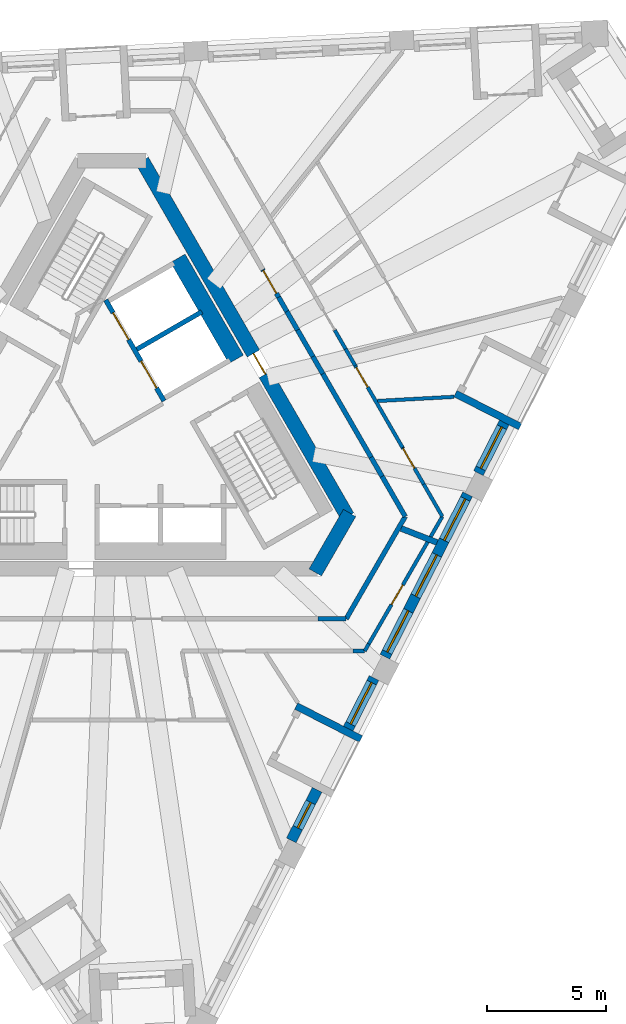
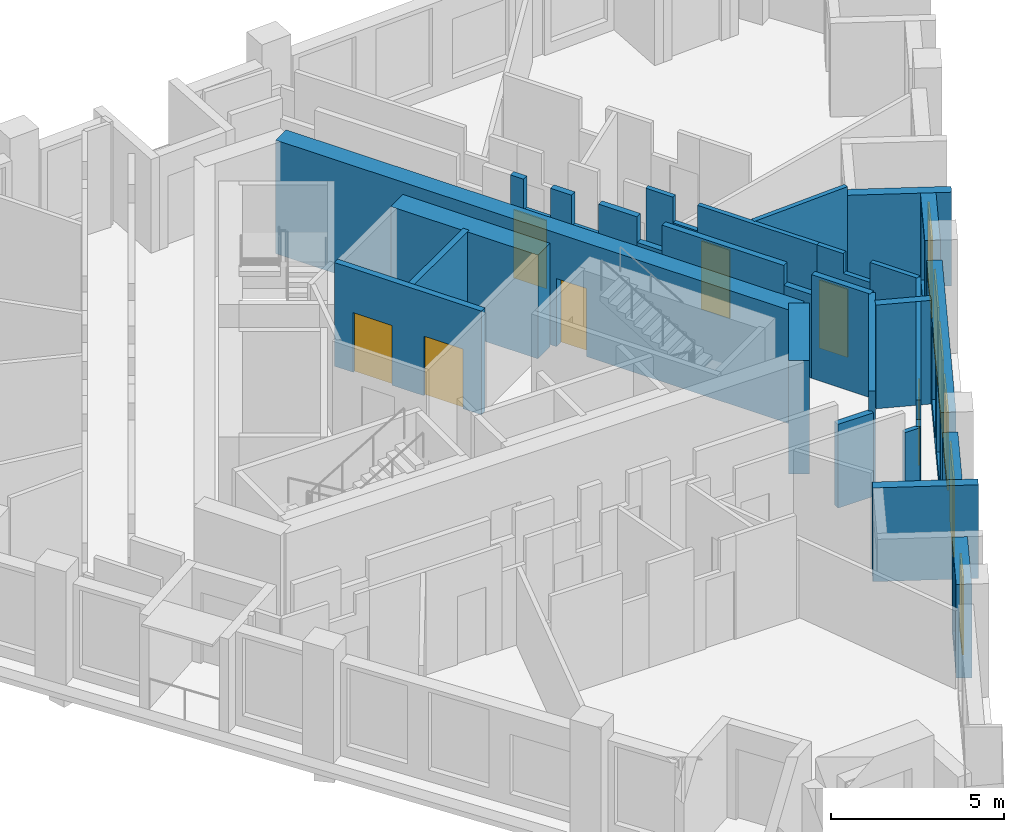
# One storey, part 5 of 12: 31 walls, 7 doors, 6 windows, 13 openings.
"""IFC4 building model written with IfcOpenShell, lengths in metres."""

from ifc_helpers import new_model, si_unit, direction, frame, frame_2d, origin, place, context, subcontext, project, spatial, polyline, rectangle, outline, extrude, material, layer, layer_set, type_object, element, fill, save


model = new_model("IFC4")

# Units and contexts
model_context = context("Model", 3, precision=1e-05, world=origin(), true_north=direction((0.0, 1.0)))
body_context = subcontext(model_context, "Body", "Model", "MODEL_VIEW")
ifc_project = project(units=[si_unit("LENGTHUNIT", "METRE"), si_unit("AREAUNIT", "SQUARE_METRE"), si_unit("VOLUMEUNIT", "CUBIC_METRE"), si_unit("PLANEANGLEUNIT", "RADIAN"), si_unit("MASSUNIT", "GRAM", prefix="KILO")], contexts=[model_context])

# Site, building, storey
site_placement = place(None, origin())
site = spatial("IfcSite", under=ifc_project, at=site_placement, CompositionType="ELEMENT")
building_placement = place(site_placement, origin())
building = spatial("IfcBuilding", under=site, at=building_placement, Name="Tramontana Tower", CompositionType="ELEMENT")
storey_placement = place(building_placement, frame((0.0, 0.0, 282.39990234375)))
storey = spatial("IfcBuildingStorey", under=building, at=storey_placement, Name="L66", CompositionType="ELEMENT", Elevation=282.39990234375)

# Wall
ifc_material_1 = material(Name="Concrete 70 MPa", Category="concrete")
ifc_layer_1 = layer(ifc_material_1, 0.60009765625)
ifc_layer_set_1 = layer_set([ifc_layer_1], Name="Core wall 600 70 MPa")
wall_type_1 = type_object("IfcWallType", Name="Core wall 600 70 MPa", PredefinedType="SHEAR", material=ifc_layer_set_1)
wall_1_placement = place(storey_placement, frame((8.544921875, -6.60009765625, 0.0), z_axis=(0.0, 0.0, 1.0), x_axis=(0.499995765644, 0.866027848477, 0.0)))
element("IfcWall", 1, at=wall_1_placement, inside=storey, type_object=wall_type_1, Name="Core wall C4 L66", PredefinedType="SHEAR", context=body_context, shape_type="SweptSolid", body=[
    extrude(rectangle(XDim=2.88671875, YDim=0.60009765625, at=frame_2d((1.443359375, 0.0))), origin(), (0.0, 0.0, 1.0), 4.0),
])

# Wall, opening, door
wall_2_placement = place(storey_placement, frame((9.901611328125, -4.25, 0.0), z_axis=(0.0, 0.0, 1.0), x_axis=(-0.499999536116, 0.866025671608, 0.0)))
wall_2 = element("IfcWall", 2, at=wall_2_placement, inside=storey, type_object=wall_type_1, Name="Core wall C5 L66", PredefinedType="SHEAR", context=body_context, shape_type="SweptSolid", body=[
    extrude(rectangle(XDim=17.2626953125, YDim=0.60009765625, at=frame_2d((8.63134765625, 0.0))), origin(), (0.0, 0.0, 1.0), 4.0),
])
opening_1_placement = place(wall_2_placement, frame((6.906494140625, 0.0, 0.0)))
opening_1 = element("IfcOpeningElement", 3, at=opening_1_placement, cuts=wall_2, Name="Opening RG3", PredefinedType="OPENING", context=body_context, shape_type="SweptSolid", body=[
    extrude(rectangle(XDim=1.0, YDim=2.39990234375, at=frame_2d((0.5, 1.199951171875))), frame((0.0, 0.31005859375, 0.0), z_axis=(0.0, -1.0, 0.0), x_axis=(1.0, 0.0, 0.0)), (0.0, 0.0, 1.0), 0.6201171875),
])
ifc_material_2 = material(Name="Painted steel", Category="steel")
door_type_1 = type_object("IfcDoorType", Name="RING DOOR 1000", OperationType="SINGLE_SWING_LEFT", PredefinedType="DOOR", material=ifc_material_2)
door_1_placement = place(opening_1_placement, origin())
door_1 = element("IfcDoor", 4, at=door_1_placement, inside=storey, type_object=door_type_1, Name="Door RG3", OperationType="SINGLE_SWING_LEFT", OverallHeight=2.39990234375, OverallWidth=1.0, PredefinedType="DOOR", context=body_context, shape_type="SweptSolid", body=[
    extrude(rectangle(XDim=1.0, YDim=2.39990234375, at=frame_2d((0.5, 1.199951171875))), frame((0.0, 0.02490234375, 0.0), z_axis=(0.0, -1.0, 0.0), x_axis=(1.0, 0.0, 0.0)), (0.0, 0.0, 1.0), 0.050048828125),
])
fill(opening_1, door_1)

# Walls
ifc_material_3 = material(Name="Blockwork", Category="masonry")
ifc_layer_2 = layer(ifc_material_3, 0.199951171875)
ifc_layer_set_2 = layer_set([ifc_layer_2], Name="ENTRY WALL 200")
wall_type_2 = type_object("IfcWallType", Name="ENTRY WALL 200", PredefinedType="SOLIDWALL", material=ifc_layer_set_2)
wall_3_placement = place(storey_placement, frame((12.326416015625, -4.25, 0.0), z_axis=(0.0, 0.0, 1.0), x_axis=(-0.50000478328, -0.866022642139, 0.0)))
element("IfcWall", 5, at=wall_3_placement, inside=storey, type_object=wall_type_2, Name="Wall v70-ew0", PredefinedType="SOLIDWALL", context=body_context, shape_type="SweptSolid", body=[
    extrude(rectangle(XDim=4.96533203125, YDim=0.199951171875, at=frame_2d((2.482666015625, 0.0))), origin(), (0.0, 0.0, 1.0), 3.650146484375),
])
wall_4_placement = place(storey_placement, frame((9.84375, -8.550048828125, 0.0), z_axis=(0.0, 0.0, 1.0), x_axis=(-1.0, 0.0, 0.0)))
element("IfcWall", 6, at=wall_4_placement, inside=storey, type_object=wall_type_2, Name="Wall v70-ew1-0", PredefinedType="SOLIDWALL", context=body_context, shape_type="SweptSolid", body=[
    extrude(rectangle(XDim=1.1884765625, YDim=0.199951171875, at=frame_2d((0.59423828125, 0.0))), origin(), (0.0, 0.0, 1.0), 2.9501953125),
])

# Wall, opening, door
wall_5_placement = place(storey_placement, frame((6.33740234375, 6.123291015625, 0.0), z_axis=(0.0, 0.0, 1.0), x_axis=(0.499943416353, -0.866058069904, 0.0)))
wall_5 = element("IfcWall", 7, at=wall_5_placement, inside=storey, type_object=wall_type_2, Name="Wall v70-ew5-4", PredefinedType="SOLIDWALL", context=body_context, shape_type="SweptSolid", body=[
    extrude(outline(polyline([(0.0, 0.0), (1.339111328125, 0.0), (1.3388671875, 2.550048828125), (0.429443359375, 2.550048828125), (0.429443359375, 3.650146484375), (0.0, 3.650146484375), (0.0, 0.0)])), frame((0.0, 0.10009765625, 0.0), z_axis=(0.0, -1.0, 0.0), x_axis=(1.0, 0.0, 0.0)), (0.0, 0.0, 1.0), 0.199951171875),
])
opening_2_placement = place(wall_5_placement, frame((0.050048828125, 0.0, 0.0)))
opening_2 = element("IfcOpeningElement", 8, at=opening_2_placement, cuts=wall_5, Name="Opening B7A-23", PredefinedType="OPENING", context=body_context, shape_type="SweptSolid", body=[
    extrude(rectangle(XDim=1.10009765625, YDim=2.39990234375, at=frame_2d((0.550048828125, 1.199951171875))), frame((0.0, 0.10986328125, 0.0), z_axis=(0.0, -1.0, 0.0), x_axis=(1.0, 0.0, 0.0)), (0.0, 0.0, 1.0), 0.219970703125),
])
ifc_material_4 = material(Name="Painted timber", Category="wood")
door_type_2 = type_object("IfcDoorType", Name="DOOR ENTRY 1100", OperationType="SINGLE_SWING_LEFT", PredefinedType="DOOR", material=ifc_material_4)
door_2_placement = place(opening_2_placement, origin())
door_2 = element("IfcDoor", 9, at=door_2_placement, inside=storey, type_object=door_type_2, Name="Door B7A-23", OperationType="SINGLE_SWING_LEFT", OverallHeight=2.39990234375, OverallWidth=1.10009765625, PredefinedType="DOOR", context=body_context, shape_type="SweptSolid", body=[
    extrude(rectangle(XDim=1.10009765625, YDim=2.39990234375, at=frame_2d((0.550048828125, 1.199951171875))), frame((0.0, 0.02490234375, 0.0), z_axis=(0.0, -1.0, 0.0), x_axis=(1.0, 0.0, 0.0)), (0.0, 0.0, 1.0), 0.050048828125),
])
fill(opening_2, door_2)

# Walls
wall_6_placement = place(storey_placement, frame((7.0068359375, 4.963623046875, 0.0), z_axis=(0.0, 0.0, 1.0), x_axis=(0.499977339252, -0.866038486578, 0.0)))
element("IfcWall", 10, at=wall_6_placement, inside=storey, type_object=wall_type_2, Name="Wall v70-ew5-5", PredefinedType="SOLIDWALL", context=body_context, shape_type="SweptSolid", body=[
    extrude(rectangle(XDim=0.69091796875, YDim=0.199951171875, at=frame_2d((0.345458984375, 0.0))), origin(), (0.0, 0.0, 1.0), 3.650146484375),
])
wall_7_placement = place(storey_placement, frame((7.352294921875, 4.365234375, 0.0), z_axis=(0.0, 0.0, 1.0), x_axis=(0.500074377092, -0.865982457891, 0.0)))
element("IfcWall", 11, at=wall_7_placement, inside=storey, type_object=wall_type_2, Name="Wall v70-ew5-6", PredefinedType="SOLIDWALL", context=body_context, shape_type="SweptSolid", body=[
    extrude(rectangle(XDim=0.900634765625, YDim=0.199951171875, at=frame_2d((0.4501953125, 0.0))), origin(), (0.0, 0.0, 1.0), 2.550048828125),
])
wall_8_placement = place(storey_placement, frame((7.802734375, 3.585205078125, 0.0), z_axis=(0.0, 0.0, 1.0), x_axis=(0.500018234033, -0.866014876105, 0.0)))
element("IfcWall", 12, at=wall_8_placement, inside=storey, type_object=wall_type_2, Name="Wall v70-ew5-7", PredefinedType="SOLIDWALL", context=body_context, shape_type="SweptSolid", body=[
    extrude(rectangle(XDim=1.2861328125, YDim=0.199951171875, at=frame_2d((0.64306640625, 0.0))), origin(), (0.0, 0.0, 1.0), 3.650146484375),
])
wall_9_placement = place(storey_placement, frame((8.44580078125, 2.471435546875, 0.0), z_axis=(0.0, 0.0, 1.0), x_axis=(0.499950631041, -0.86605390509, 0.0)))
element("IfcWall", 13, at=wall_9_placement, inside=storey, type_object=wall_type_2, Name="Wall v70-ew5-8", PredefinedType="SOLIDWALL", context=body_context, shape_type="SweptSolid", body=[
    extrude(rectangle(XDim=0.83349609375, YDim=0.199951171875, at=frame_2d((0.416748046875, 0.0))), origin(), (0.0, 0.0, 1.0), 2.75),
])
wall_10_placement = place(storey_placement, frame((8.862548828125, 1.74951171875, 0.0), z_axis=(0.0, 0.0, 1.0), x_axis=(0.500007556608, -0.866021040931, 0.0)))
element("IfcWall", 14, at=wall_10_placement, inside=storey, type_object=wall_type_2, Name="Wall v70-ew5-9", PredefinedType="SOLIDWALL", context=body_context, shape_type="SweptSolid", body=[
    extrude(rectangle(XDim=4.05224609375, YDim=0.199951171875, at=frame_2d((2.026123046875, 0.0))), origin(), (0.0, 0.0, 1.0), 3.650146484375),
])
wall_11_placement = place(storey_placement, frame((10.888671875, -1.759765625, 0.0), z_axis=(0.0, 0.0, 1.0), x_axis=(0.500102178127, -0.865966403178, 0.0)))
element("IfcWall", 15, at=wall_11_placement, inside=storey, type_object=wall_type_2, Name="Wall v70-ew5-10", PredefinedType="SOLIDWALL", context=body_context, shape_type="SweptSolid", body=[
    extrude(rectangle(XDim=0.927490234375, YDim=0.199951171875, at=frame_2d((0.4638671875, 0.0))), origin(), (0.0, 0.0, 1.0), 2.9501953125),
])
wall_12_placement = place(storey_placement, frame((11.3525390625, -2.56298828125, 0.0), z_axis=(0.0, 0.0, 1.0), x_axis=(0.499953905513, -0.866052014814, 0.0)))
element("IfcWall", 16, at=wall_12_placement, inside=storey, type_object=wall_type_2, Name="Wall v70-ew5-11", PredefinedType="SOLIDWALL", context=body_context, shape_type="SweptSolid", body=[
    extrude(rectangle(XDim=1.947998046875, YDim=0.199951171875, at=frame_2d((0.97412109375, 0.0))), origin(), (0.0, 0.0, 1.0), 3.650146484375),
])

# Wall, opening, window
ifc_material_5 = material(Name="Precast concrete 60 MPa", Category="concrete")
ifc_layer_3 = layer(ifc_material_5, 0.449951171875)
ifc_layer_set_3 = layer_set([ifc_layer_3], Name="Precast concrete 60 MPa, 450 mm")
wall_type_3 = type_object("IfcWallType", Name="EW1 Stone-faced precast wall 450", PredefinedType="SOLIDWALL", material=ifc_layer_set_3)
wall_13_placement = place(storey_placement, frame((7.53857421875, -17.859375, 0.0), z_axis=(0.0, 0.0, 1.0), x_axis=(0.454074413722, 0.890963762901, 0.0)))
wall_13 = element("IfcWall", 17, at=wall_13_placement, inside=storey, type_object=wall_type_3, Name="External wall L66 face 1 bay 2", PredefinedType="SOLIDWALL", context=body_context, shape_type="SweptSolid", body=[
    extrude(rectangle(XDim=2.38671875, YDim=0.449951171875, at=frame_2d((1.193359375, 0.0))), origin(), (0.0, 0.0, 1.0), 3.300048828125),
])
opening_3_placement = place(wall_13_placement, frame((0.59326171875, 0.0, 0.39990234375)))
opening_3 = element("IfcOpeningElement", 18, at=opening_3_placement, cuts=wall_13, Name="Opening N3", PredefinedType="OPENING", context=body_context, shape_type="SweptSolid", body=[
    extrude(rectangle(XDim=1.199951171875, YDim=2.75, at=frame_2d((0.60009765625, 1.375))), frame((0.0, 0.23486328125, 0.0), z_axis=(0.0, -1.0, 0.0), x_axis=(1.0, 0.0, 0.0)), (0.0, 0.0, 1.0), 0.469970703125),
])
ifc_material_6 = material(Name="Aluminum frame, double glazing unit", Category="aluminium")
window_type_1 = type_object("IfcWindowType", Name="N3 Window 1.2 x 2.75", PartitioningType="SINGLE_PANEL", PredefinedType="WINDOW", material=ifc_material_6)
window_1_placement = place(opening_3_placement, origin())
window_1 = element("IfcWindow", 19, at=window_1_placement, inside=storey, type_object=window_type_1, Name="Window N3 L66 face 1 module 4", OverallHeight=2.75, OverallWidth=1.199951171875, PartitioningType="SINGLE_PANEL", PredefinedType="WINDOW", context=body_context, shape_type="SweptSolid", body=[
    extrude(rectangle(XDim=1.199951171875, YDim=2.75, at=frame_2d((0.60009765625, 1.375))), frame((0.0, 0.030029296875, 0.0), z_axis=(0.0, -1.0, 0.0), x_axis=(1.0, 0.0, 0.0)), (0.0, 0.0, 1.0), 0.06005859375),
])
fill(opening_3, window_1)

wall_14_placement = place(storey_placement, frame((9.932861328125, -13.16064453125, 0.0), z_axis=(0.0, 0.0, 1.0), x_axis=(0.453993206954, 0.891005144788, 0.0)))
wall_14 = element("IfcWall", 20, at=wall_14_placement, inside=storey, type_object=wall_type_3, Name="External wall L66 face 1 bay 2", PredefinedType="SOLIDWALL", context=body_context, shape_type="SweptSolid", body=[
    extrude(rectangle(XDim=2.386474609375, YDim=0.449951171875, at=frame_2d((1.193359375, 0.0))), origin(), (0.0, 0.0, 1.0), 3.300048828125),
])
opening_4_placement = place(wall_14_placement, frame((0.21826171875, 0.0, 0.39990234375)))
opening_4 = element("IfcOpeningElement", 21, at=opening_4_placement, cuts=wall_14, Name="Opening M3", PredefinedType="OPENING", context=body_context, shape_type="SweptSolid", body=[
    extrude(rectangle(XDim=1.949951171875, YDim=2.75, at=frame_2d((0.97509765625, 1.375))), frame((0.0, 0.23486328125, 0.0), z_axis=(0.0, -1.0, 0.0), x_axis=(1.0, 0.0, 0.0)), (0.0, 0.0, 1.0), 0.469970703125),
])
ifc_material_7 = material(Name="Aluminum frame, double glazing unit", Category="aluminium")
window_type_2 = type_object("IfcWindowType", Name="M3 Window 1.95 x 2.75", PartitioningType="SINGLE_PANEL", PredefinedType="WINDOW", material=ifc_material_7)
window_2_placement = place(opening_4_placement, origin())
window_2 = element("IfcWindow", 22, at=window_2_placement, inside=storey, type_object=window_type_2, Name="Window M3 L66 face 1 module 6", OverallHeight=2.75, OverallWidth=1.949951171875, PartitioningType="SINGLE_PANEL", PredefinedType="WINDOW", context=body_context, shape_type="SweptSolid", body=[
    extrude(rectangle(XDim=1.949951171875, YDim=2.75, at=frame_2d((0.97509765625, 1.375))), frame((0.0, 0.030029296875, 0.0), z_axis=(0.0, -1.0, 0.0), x_axis=(1.0, 0.0, 0.0)), (0.0, 0.0, 1.0), 0.06005859375),
])
fill(opening_4, window_2)

# Wall, openings, windows
wall_15_placement = place(storey_placement, frame((11.47021484375, -10.14306640625, 0.0), z_axis=(0.0, 0.0, 1.0), x_axis=(0.453995484395, 0.891003984362, 0.0)))
wall_15 = element("IfcWall", 23, at=wall_15_placement, inside=storey, type_object=wall_type_3, Name="External wall L66 face 1 bay 3", PredefinedType="SOLIDWALL", context=body_context, shape_type="SweptSolid", body=[
    extrude(rectangle(XDim=7.660400390625, YDim=0.449951171875, at=frame_2d((3.830078125, 0.0))), origin(), (0.0, 0.0, 1.0), 3.300048828125),
])
opening_5_placement = place(wall_15_placement, frame((0.21826171875, 0.0, 0.39990234375)))
opening_5 = element("IfcOpeningElement", 24, at=opening_5_placement, cuts=wall_15, Name="Opening M3", PredefinedType="OPENING", context=body_context, shape_type="SweptSolid", body=[
    extrude(rectangle(XDim=1.949951171875, YDim=2.75, at=frame_2d((0.97509765625, 1.375))), frame((0.0, 0.23486328125, 0.0), z_axis=(0.0, -1.0, 0.0), x_axis=(1.0, 0.0, 0.0)), (0.0, 0.0, 1.0), 0.469970703125),
])
opening_6_placement = place(wall_15_placement, frame((2.855224609375, 0.0, 0.39990234375)))
opening_6 = element("IfcOpeningElement", 25, at=opening_6_placement, cuts=wall_15, Name="Opening M3", PredefinedType="OPENING", context=body_context, shape_type="SweptSolid", body=[
    extrude(rectangle(XDim=1.949951171875, YDim=2.75, at=frame_2d((0.97509765625, 1.375))), frame((0.0, 0.23486328125, 0.0), z_axis=(0.0, -1.0, 0.0), x_axis=(1.0, 0.0, 0.0)), (0.0, 0.0, 1.0), 0.469970703125),
])
opening_7_placement = place(wall_15_placement, frame((5.491943359375, 0.0, 0.39990234375)))
opening_7 = element("IfcOpeningElement", 26, at=opening_7_placement, cuts=wall_15, Name="Opening M3", PredefinedType="OPENING", context=body_context, shape_type="SweptSolid", body=[
    extrude(rectangle(XDim=1.949951171875, YDim=2.75, at=frame_2d((0.97509765625, 1.375))), frame((0.0, 0.23486328125, 0.0), z_axis=(0.0, -1.0, 0.0), x_axis=(1.0, 0.0, 0.0)), (0.0, 0.0, 1.0), 0.469970703125),
])
window_3_placement = place(opening_5_placement, origin())
window_3 = element("IfcWindow", 27, at=window_3_placement, inside=storey, type_object=window_type_2, Name="Window M3 L66 face 1 module 7", OverallHeight=2.75, OverallWidth=1.949951171875, PartitioningType="SINGLE_PANEL", PredefinedType="WINDOW", context=body_context, shape_type="SweptSolid", body=[
    extrude(rectangle(XDim=1.949951171875, YDim=2.75, at=frame_2d((0.97509765625, 1.375))), frame((0.0, 0.030029296875, 0.0), z_axis=(0.0, -1.0, 0.0), x_axis=(1.0, 0.0, 0.0)), (0.0, 0.0, 1.0), 0.06005859375),
])
fill(opening_5, window_3)
window_4_placement = place(opening_6_placement, origin())
window_4 = element("IfcWindow", 28, at=window_4_placement, inside=storey, type_object=window_type_2, Name="Window M3 L66 face 1 module 8", OverallHeight=2.75, OverallWidth=1.949951171875, PartitioningType="SINGLE_PANEL", PredefinedType="WINDOW", context=body_context, shape_type="SweptSolid", body=[
    extrude(rectangle(XDim=1.949951171875, YDim=2.75, at=frame_2d((0.97509765625, 1.375))), frame((0.0, 0.030029296875, 0.0), z_axis=(0.0, -1.0, 0.0), x_axis=(1.0, 0.0, 0.0)), (0.0, 0.0, 1.0), 0.06005859375),
])
fill(opening_6, window_4)
window_5_placement = place(opening_7_placement, origin())
window_5 = element("IfcWindow", 29, at=window_5_placement, inside=storey, type_object=window_type_2, Name="Window M3 L66 face 1 module 9", OverallHeight=2.75, OverallWidth=1.949951171875, PartitioningType="SINGLE_PANEL", PredefinedType="WINDOW", context=body_context, shape_type="SweptSolid", body=[
    extrude(rectangle(XDim=1.949951171875, YDim=2.75, at=frame_2d((0.97509765625, 1.375))), frame((0.0, 0.030029296875, 0.0), z_axis=(0.0, -1.0, 0.0), x_axis=(1.0, 0.0, 0.0)), (0.0, 0.0, 1.0), 0.06005859375),
])
fill(opening_7, window_5)

# Wall, opening, window
wall_16_placement = place(storey_placement, frame((15.402099609375, -2.4267578125, 0.0), z_axis=(0.0, 0.0, 1.0), x_axis=(0.453951830128, 0.891026226283, 0.0)))
wall_16 = element("IfcWall", 30, at=wall_16_placement, inside=storey, type_object=wall_type_3, Name="External wall L66 face 1 bay 4", PredefinedType="SOLIDWALL", context=body_context, shape_type="SweptSolid", body=[
    extrude(rectangle(XDim=2.38671875, YDim=0.449951171875, at=frame_2d((1.193359375, 0.0))), origin(), (0.0, 0.0, 1.0), 3.300048828125),
])
opening_8_placement = place(wall_16_placement, frame((0.21826171875, 0.0, 0.39990234375)))
opening_8 = element("IfcOpeningElement", 31, at=opening_8_placement, cuts=wall_16, Name="Opening M3", PredefinedType="OPENING", context=body_context, shape_type="SweptSolid", body=[
    extrude(rectangle(XDim=1.949951171875, YDim=2.75, at=frame_2d((0.97509765625, 1.375))), frame((0.0, 0.23486328125, 0.0), z_axis=(0.0, -1.0, 0.0), x_axis=(1.0, 0.0, 0.0)), (0.0, 0.0, 1.0), 0.469970703125),
])
window_6_placement = place(opening_8_placement, origin())
window_6 = element("IfcWindow", 32, at=window_6_placement, inside=storey, type_object=window_type_2, Name="Window M3 L66 face 1 module 10", OverallHeight=2.75, OverallWidth=1.949951171875, PartitioningType="SINGLE_PANEL", PredefinedType="WINDOW", context=body_context, shape_type="SweptSolid", body=[
    extrude(rectangle(XDim=1.949951171875, YDim=2.75, at=frame_2d((0.97509765625, 1.375))), frame((0.0, 0.030029296875, 0.0), z_axis=(0.0, -1.0, 0.0), x_axis=(1.0, 0.0, 0.0)), (0.0, 0.0, 1.0), 0.06005859375),
])
fill(opening_8, window_6)

# Walls
ifc_material_8 = material(Name="Precast concrete 60 MPa", Category="concrete")
ifc_layer_4 = layer(ifc_material_8, 0.300048828125)
ifc_layer_set_4 = layer_set([ifc_layer_4], Name="LW1 Stone-faced loggia wall 300")
wall_type_4 = type_object("IfcWallType", Name="LW1 Stone-faced loggia wall 300", PredefinedType="SOLIDWALL", material=ifc_layer_set_4)
for number, where, z_axis, x_axis, name in (
    (33, (10.466064453125, -13.600830078125, 0.0), (0.0, 0.0, 1.0), (-0.890991233495, 0.454020508165, 0.0), "Loggia return L66 G7S1.4b"),
    (34, (17.155029296875, -0.472900390625, 0.0), (0.0, 0.0, 1.0), (-0.890991233495, 0.454020508165, 0.0), "Loggia return L66 G7S1.10a"),
):
    element("IfcWall", number, at=place(storey_placement, frame(where, z_axis=z_axis, x_axis=x_axis)), inside=storey, type_object=wall_type_4, Name=name, PredefinedType="SOLIDWALL", context=body_context, shape_type="SweptSolid", body=[
        extrude(rectangle(XDim=3.050048828125, YDim=0.300048828125, at=frame_2d((1.52490234375, 0.0))), origin(), (0.0, 0.0, 1.0), 3.300048828125),
    ])
ifc_material_9 = material(Name="Gypsum board partition")
ifc_layer_5 = layer(ifc_material_9, 0.14990234375)
ifc_layer_set_5 = layer_set([ifc_layer_5], Name="PARTITION 150")
wall_type_5 = type_object("IfcWallType", Name="PARTITION 150", PredefinedType="PARTITIONING", material=ifc_layer_set_5)
wall_17_placement = place(storey_placement, frame((9.363037109375, 3.582763671875, 0.0), z_axis=(0.0, 0.0, 1.0), x_axis=(0.500085693753, -0.86597592282, 0.0)))
element("IfcWall", 35, at=wall_17_placement, inside=storey, type_object=wall_type_5, Name="Wall v70-pw18-7", PredefinedType="PARTITIONING", context=body_context, shape_type="SweptSolid", body=[
    extrude(rectangle(XDim=0.911376953125, YDim=0.14990234375, at=frame_2d((0.45556640625, 0.0))), origin(), (0.0, 0.0, 1.0), 3.650146484375),
])
wall_18_placement = place(storey_placement, frame((9.81884765625, 2.79345703125, 0.0), z_axis=(0.0, 0.0, 1.0), x_axis=(0.499748625964, -0.866170486017, 0.0)))
element("IfcWall", 36, at=wall_18_placement, inside=storey, type_object=wall_type_5, Name="Wall v70-pw18-8", PredefinedType="PARTITIONING", context=body_context, shape_type="SweptSolid", body=[
    extrude(rectangle(XDim=0.8076171875, YDim=0.14990234375, at=frame_2d((0.40380859375, 0.0))), origin(), (0.0, 0.0, 1.0), 2.75),
])

# Wall, opening, door
wall_19_placement = place(storey_placement, frame((10.222412109375, 2.093994140625, 0.0), z_axis=(0.0, 0.0, 1.0), x_axis=(0.500039377857, -0.866002667774, 0.0)))
wall_19 = element("IfcWall", 37, at=wall_19_placement, inside=storey, type_object=wall_type_5, Name="Wall v70-pw18-9", PredefinedType="PARTITIONING", context=body_context, shape_type="SweptSolid", body=[
    extrude(rectangle(XDim=3.978759765625, YDim=0.14990234375, at=frame_2d((1.9892578125, 0.0))), origin(), (0.0, 0.0, 1.0), 3.650146484375),
])
opening_9_placement = place(wall_19_placement, frame((0.0966796875, 0.0, 0.0)))
opening_9 = element("IfcOpeningElement", 38, at=opening_9_placement, cuts=wall_19, Name="Opening B7A-16", PredefinedType="OPENING", context=body_context, shape_type="SweptSolid", body=[
    extrude(rectangle(XDim=0.949951171875, YDim=2.39990234375, at=frame_2d((0.47509765625, 1.199951171875))), frame((0.0, 0.0849609375, 0.0), z_axis=(0.0, -1.0, 0.0), x_axis=(1.0, 0.0, 0.0)), (0.0, 0.0, 1.0), 0.169921875),
])
ifc_material_10 = material(Name="Painted timber", Category="wood")
door_type_3 = type_object("IfcDoorType", Name="DOOR ROOM 950", OperationType="SINGLE_SWING_LEFT", PredefinedType="DOOR", material=ifc_material_10)
door_3_placement = place(opening_9_placement, origin())
door_3 = element("IfcDoor", 39, at=door_3_placement, inside=storey, type_object=door_type_3, Name="Door B7A-16", OperationType="SINGLE_SWING_RIGHT", OverallHeight=2.39990234375, OverallWidth=0.949951171875, PredefinedType="DOOR", context=body_context, shape_type="SweptSolid", body=[
    extrude(rectangle(XDim=0.949951171875, YDim=2.39990234375, at=frame_2d((0.47509765625, 1.199951171875))), frame((0.0, 0.02490234375, 0.0), z_axis=(0.0, -1.0, 0.0), x_axis=(1.0, 0.0, 0.0)), (0.0, 0.0, 1.0), 0.050048828125),
])
fill(opening_9, door_3)

wall_20_placement = place(storey_placement, frame((12.2119140625, -1.3515625, 0.0), z_axis=(0.0, 0.0, 1.0), x_axis=(0.500011952599, -0.866018502838, 0.0)))
wall_20 = element("IfcWall", 40, at=wall_20_placement, inside=storey, type_object=wall_type_5, Name="Wall v70-pw18-10", PredefinedType="PARTITIONING", context=body_context, shape_type="SweptSolid", body=[
    extrude(outline(polyline([(0.0, 0.0), (1.7763671875, 0.0), (1.7763671875, 2.9501953125), (0.882080078125, 2.9501953125), (0.882080078125, 3.650146484375), (0.0, 3.650146484375), (0.0, 0.0)])), frame((0.0, 0.074951171875, 0.0), z_axis=(0.0, -1.0, 0.0), x_axis=(1.0, 0.0, 0.0)), (0.0, 0.0, 1.0), 0.14990234375),
])
opening_10_placement = place(wall_20_placement, frame((0.050048828125, 0.0, 0.0)))
opening_10 = element("IfcOpeningElement", 41, at=opening_10_placement, cuts=wall_20, Name="Opening B7A-17", PredefinedType="OPENING", context=body_context, shape_type="SweptSolid", body=[
    extrude(rectangle(XDim=0.949951171875, YDim=2.39990234375, at=frame_2d((0.47509765625, 1.199951171875))), frame((0.0, 0.0849609375, 0.0), z_axis=(0.0, -1.0, 0.0), x_axis=(1.0, 0.0, 0.0)), (0.0, 0.0, 1.0), 0.169921875),
])
door_4_placement = place(opening_10_placement, origin())
door_4 = element("IfcDoor", 42, at=door_4_placement, inside=storey, type_object=door_type_3, Name="Door B7A-17", OperationType="SINGLE_SWING_LEFT", OverallHeight=2.39990234375, OverallWidth=0.949951171875, PredefinedType="DOOR", context=body_context, shape_type="SweptSolid", body=[
    extrude(rectangle(XDim=0.949951171875, YDim=2.39990234375, at=frame_2d((0.47509765625, 1.199951171875))), frame((0.0, 0.02490234375, 0.0), z_axis=(0.0, -1.0, 0.0), x_axis=(1.0, 0.0, 0.0)), (0.0, 0.0, 1.0), 0.050048828125),
])
fill(opening_10, door_4)

# Walls
wall_21_placement = place(storey_placement, frame((13.10009765625, -2.889892578125, 0.0), z_axis=(0.0, 0.0, 1.0), x_axis=(0.499951222523, -0.866053563643, 0.0)))
element("IfcWall", 43, at=wall_21_placement, inside=storey, type_object=wall_type_5, Name="Wall v70-pw18-11", PredefinedType="PARTITIONING", context=body_context, shape_type="SweptSolid", body=[
    extrude(rectangle(XDim=1.570556640625, YDim=0.14990234375, at=frame_2d((0.78515625, 0.0))), origin(), (0.0, 0.0, 1.0), 3.650146484375),
])
wall_22_placement = place(storey_placement, frame((10.623046875, -9.89990234375, 0.0), z_axis=(0.0, 0.0, 1.0), x_axis=(-1.0, 0.0, 0.0)))
element("IfcWall", 44, at=wall_22_placement, inside=storey, type_object=wall_type_5, Name="Wall v70-pw26-0", PredefinedType="PARTITIONING", context=body_context, shape_type="SweptSolid", body=[
    extrude(rectangle(XDim=0.501708984375, YDim=0.14990234375, at=frame_2d((0.2509765625, 0.0))), origin(), (0.0, 0.0, 1.0), 2.9501953125),
])

# Wall, opening, door
wall_23_placement = place(storey_placement, frame((13.88525390625, -4.25, 0.0), z_axis=(0.0, 0.0, 1.0), x_axis=(-0.500003887042, -0.866023159588, 0.0)))
wall_23 = element("IfcWall", 45, at=wall_23_placement, inside=storey, type_object=wall_type_5, Name="Wall v70-pw28-0", PredefinedType="PARTITIONING", context=body_context, shape_type="SweptSolid", body=[
    extrude(rectangle(XDim=6.1826171875, YDim=0.14990234375, at=frame_2d((3.09130859375, 0.0))), origin(), (0.0, 0.0, 1.0), 3.650146484375),
])
opening_11_placement = place(wall_23_placement, frame((3.322265625, 0.0, 0.0)))
opening_11 = element("IfcOpeningElement", 46, at=opening_11_placement, cuts=wall_23, Name="Opening B7A-13", PredefinedType="OPENING", context=body_context, shape_type="SweptSolid", body=[
    extrude(rectangle(XDim=0.949951171875, YDim=2.39990234375, at=frame_2d((0.47509765625, 1.199951171875))), frame((0.0, 0.0849609375, 0.0), z_axis=(0.0, -1.0, 0.0), x_axis=(1.0, 0.0, 0.0)), (0.0, 0.0, 1.0), 0.169921875),
])
door_5_placement = place(opening_11_placement, origin())
door_5 = element("IfcDoor", 47, at=door_5_placement, inside=storey, type_object=door_type_3, Name="Door B7A-13", OperationType="SINGLE_SWING_LEFT", OverallHeight=2.39990234375, OverallWidth=0.949951171875, PredefinedType="DOOR", context=body_context, shape_type="SweptSolid", body=[
    extrude(rectangle(XDim=0.949951171875, YDim=2.39990234375, at=frame_2d((0.47509765625, 1.199951171875))), frame((0.0, 0.02490234375, 0.0), z_axis=(0.0, -1.0, 0.0), x_axis=(1.0, 0.0, 0.0)), (0.0, 0.0, 1.0), 0.050048828125),
])
fill(opening_11, door_5)

# Walls
wall_24_placement = place(storey_placement, frame((10.7939453125, -9.604248046875, 0.0), z_axis=(0.0, 0.0, 1.0), x_axis=(-0.499908181442, -0.866078408764, 0.0)))
element("IfcWall", 48, at=wall_24_placement, inside=storey, type_object=wall_type_5, Name="Wall v70-pw28-1", PredefinedType="PARTITIONING", context=body_context, shape_type="SweptSolid", body=[
    extrude(rectangle(XDim=0.34130859375, YDim=0.14990234375, at=frame_2d((0.170654296875, 0.0))), origin(), (0.0, 0.0, 1.0), 2.9501953125),
])
wall_25_placement = place(storey_placement, frame((14.369384765625, 0.778076171875, 0.0), z_axis=(0.0, 0.0, 1.0), x_axis=(-0.99853649782, -0.054081998127, 0.0)))
element("IfcWall", 49, at=wall_25_placement, inside=storey, type_object=wall_type_5, Name="Wall v70-pw29", PredefinedType="PARTITIONING", context=body_context, shape_type="SweptSolid", body=[
    extrude(rectangle(XDim=3.205078125, YDim=0.14990234375, at=frame_2d((1.6025390625, 0.0))), origin(), (0.0, 0.0, 1.0), 3.650146484375),
])
ifc_material_11 = material(Name="Blockwork", Category="masonry")
ifc_layer_6 = layer(ifc_material_11, 0.25)
ifc_layer_set_6 = layer_set([ifc_layer_6], Name="PARTY WALL 250")
wall_type_6 = type_object("IfcWallType", Name="PARTY WALL 250", PredefinedType="SOLIDWALL", material=ifc_layer_set_6)
wall_26_placement = place(storey_placement, frame((12.152587890625, -4.751220703125, 0.0), z_axis=(0.0, 0.0, 1.0), x_axis=(0.931322658747, -0.364195147283, 0.0)))
element("IfcWall", 50, at=wall_26_placement, inside=storey, type_object=wall_type_6, Name="Wall v70-pw27", PredefinedType="SOLIDWALL", context=body_context, shape_type="SweptSolid", body=[
    extrude(rectangle(XDim=1.623046875, YDim=0.25, at=frame_2d((0.8115234375, 0.0))), origin(), (0.0, 0.0, 1.0), 3.650146484375),
])
ifc_material_12 = material(Name="Concrete 70 MPa", Category="concrete")
ifc_layer_7 = layer(ifc_material_12, 0.699951171875)
ifc_layer_set_7 = layer_set([ifc_layer_7], Name="Concrete 70 MPa, 700 mm")
wall_type_7 = type_object("IfcWallType", Name="RC SHAFT BACK WALL 700", PredefinedType="SOLIDWALL", material=ifc_layer_set_7)
wall_27_placement = place(storey_placement, frame((5.221435546875, 2.3564453125, 0.0), z_axis=(0.0, 0.0, 1.0), x_axis=(-0.500040169509, 0.866002210665, 0.0)))
element("IfcWall", 51, at=wall_27_placement, inside=storey, type_object=wall_type_7, Name="Wall row2-back", PredefinedType="SOLIDWALL", context=body_context, shape_type="SweptSolid", body=[
    extrude(rectangle(XDim=4.89990234375, YDim=0.699951171875, at=frame_2d((2.449951171875, 0.0))), origin(), (0.0, 0.0, 1.0), 3.650146484375),
])

# Wall, openings, doors
ifc_material_13 = material(Name="Concrete 70 MPa", Category="concrete")
ifc_layer_8 = layer(ifc_material_13, 0.199951171875)
ifc_layer_set_8 = layer_set([ifc_layer_8], Name="Concrete 70 MPa, 200 mm")
wall_type_8 = type_object("IfcWallType", Name="RC STAIR AND SHAFT WALL 200", PredefinedType="SOLIDWALL", material=ifc_layer_set_8)
wall_28_placement = place(storey_placement, frame((2.190185546875, 0.6064453125, 0.0), z_axis=(0.0, 0.0, 1.0), x_axis=(-0.500002801628, 0.866023786258, 0.0)))
wall_28 = element("IfcWall", 52, at=wall_28_placement, inside=storey, type_object=wall_type_8, Name="Wall row2-front", PredefinedType="SOLIDWALL", context=body_context, shape_type="SweptSolid", body=[
    extrude(rectangle(XDim=4.89990234375, YDim=0.199951171875, at=frame_2d((2.449951171875, 0.0))), origin(), (0.0, 0.0, 1.0), 3.650146484375),
])
opening_12_placement = place(wall_28_placement, frame((0.625, 0.0, 0.0)))
opening_12 = element("IfcOpeningElement", 53, at=opening_12_placement, cuts=wall_28, Name="Opening LD-F1", PredefinedType="OPENING", context=body_context, shape_type="SweptSolid", body=[
    extrude(rectangle(XDim=1.300048828125, YDim=2.10009765625, at=frame_2d((0.64990234375, 1.050048828125))), frame((0.0, 0.10986328125, 0.0), z_axis=(0.0, -1.0, 0.0), x_axis=(1.0, 0.0, 0.0)), (0.0, 0.0, 1.0), 0.219970703125),
])
opening_13_placement = place(wall_28_placement, frame((2.97509765625, 0.0, 0.0)))
opening_13 = element("IfcOpeningElement", 54, at=opening_13_placement, cuts=wall_28, Name="Opening LD-F2", PredefinedType="OPENING", context=body_context, shape_type="SweptSolid", body=[
    extrude(rectangle(XDim=1.300048828125, YDim=2.10009765625, at=frame_2d((0.64990234375, 1.050048828125))), frame((0.0, 0.10986328125, 0.0), z_axis=(0.0, -1.0, 0.0), x_axis=(1.0, 0.0, 0.0)), (0.0, 0.0, 1.0), 0.219970703125),
])
ifc_material_14 = material(Name="Brushed steel", Category="steel")
door_type_4 = type_object("IfcDoorType", Name="LANDING DOOR 1300", OperationType="SINGLE_SWING_LEFT", PredefinedType="DOOR", material=ifc_material_14)
door_6_placement = place(opening_12_placement, origin())
door_6 = element("IfcDoor", 55, at=door_6_placement, inside=storey, type_object=door_type_4, Name="Door LD-F1", OperationType="SLIDING_TO_RIGHT", OverallHeight=2.10009765625, OverallWidth=1.300048828125, PredefinedType="DOOR", context=body_context, shape_type="SweptSolid", body=[
    extrude(rectangle(XDim=1.300048828125, YDim=2.10009765625, at=frame_2d((0.64990234375, 1.050048828125))), frame((0.0, 0.02490234375, 0.0), z_axis=(0.0, -1.0, 0.0), x_axis=(1.0, 0.0, 0.0)), (0.0, 0.0, 1.0), 0.050048828125),
])
fill(opening_12, door_6)
door_7_placement = place(opening_13_placement, origin())
door_7 = element("IfcDoor", 56, at=door_7_placement, inside=storey, type_object=door_type_4, Name="Door LD-F2", OperationType="SLIDING_TO_LEFT", OverallHeight=2.10009765625, OverallWidth=1.300048828125, PredefinedType="DOOR", context=body_context, shape_type="SweptSolid", body=[
    extrude(rectangle(XDim=1.300048828125, YDim=2.10009765625, at=frame_2d((0.64990234375, 1.050048828125))), frame((0.0, 0.02490234375, 0.0), z_axis=(0.0, -1.0, 0.0), x_axis=(1.0, 0.0, 0.0)), (0.0, 0.0, 1.0), 0.050048828125),
])
fill(opening_13, door_7)

# Wall
wall_29_placement = place(storey_placement, frame((1.0517578125, 2.778076171875, 0.0), z_axis=(0.0, 0.0, 1.0), x_axis=(0.866035871367, 0.499981869177, 0.0)))
element("IfcWall", 57, at=wall_29_placement, inside=storey, type_object=wall_type_8, Name="Wall row2-side1", PredefinedType="SOLIDWALL", context=body_context, shape_type="SweptSolid", body=[
    extrude(rectangle(XDim=3.14990234375, YDim=0.199951171875, at=frame_2d((1.574951171875, 0.0))), origin(), (0.0, 0.0, 1.0), 3.650146484375),
])

save(model, "model.ifc")
